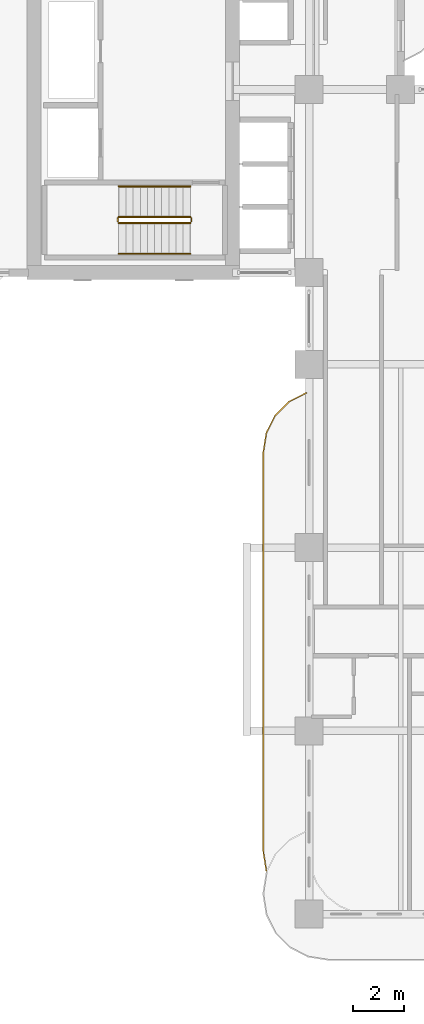
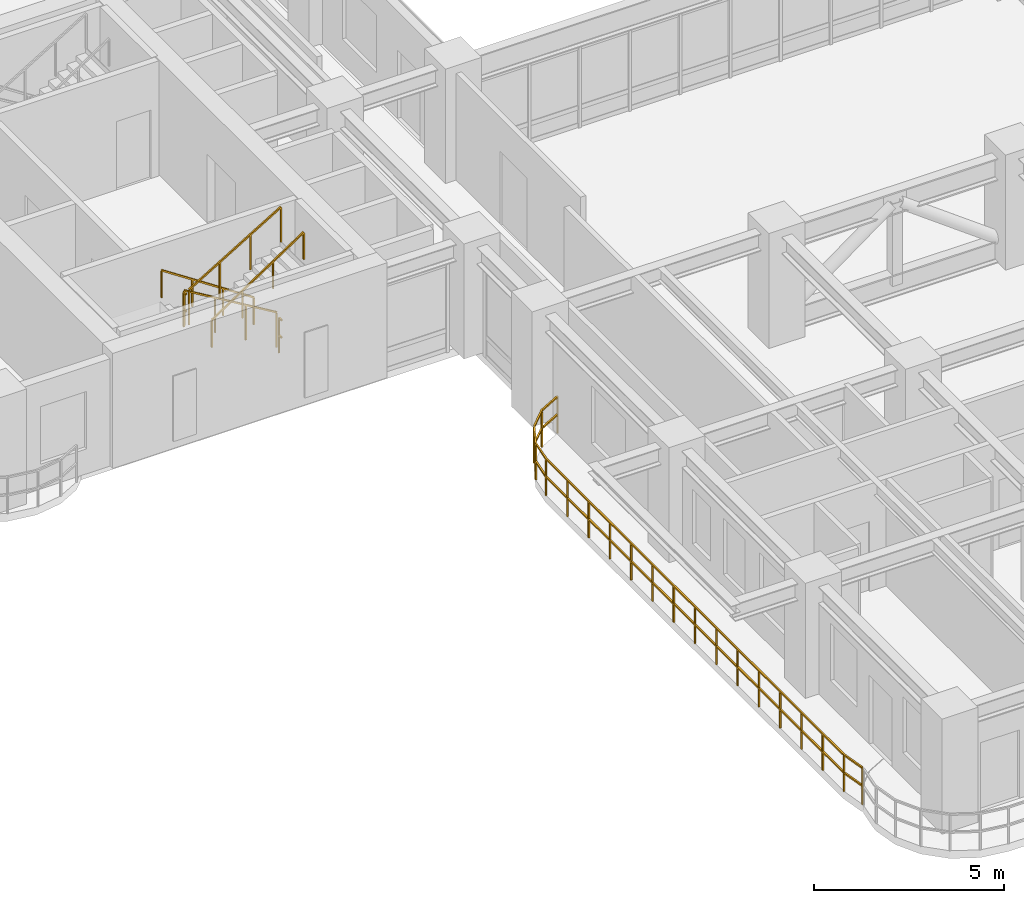
# One storey, part 17 of 21: 7 railings.
"""IFC4 building model written with IfcOpenShell, lengths in metres."""

from ifc_helpers import new_model, si_unit, derived_unit, direction, frame, origin, origin_2d, place, context, subcontext, project, spatial, rectangle, extrude, material, type_object, element, save


model = new_model("IFC4")

# Units and contexts
model_context = context("Model", 3, precision=1e-05, world=origin(), true_north=direction((0.0, 1.0)))
body_context = subcontext(model_context, "Body", "Model", "MODEL_VIEW")
ifc_project = project(units=[si_unit("LENGTHUNIT", "METRE"), si_unit("AREAUNIT", "SQUARE_METRE"), si_unit("VOLUMEUNIT", "CUBIC_METRE"), si_unit("PLANEANGLEUNIT", "RADIAN"), si_unit("MASSUNIT", "GRAM", prefix="KILO"), si_unit("THERMODYNAMICTEMPERATUREUNIT", "KELVIN"), si_unit("POWERUNIT", "WATT"), derived_unit("THERMALTRANSMITTANCEUNIT", [(si_unit("POWERUNIT", "WATT"), 1), (si_unit("AREAUNIT", "SQUARE_METRE"), -1), (si_unit("THERMODYNAMICTEMPERATUREUNIT", "KELVIN"), -1)])], contexts=[model_context])

# Site, building, storey
site_placement = place(None, origin())
site = spatial("IfcSite", under=ifc_project, at=site_placement, CompositionType="ELEMENT")
building_placement = place(site_placement, origin())
building = spatial("IfcBuilding", under=site, at=building_placement, Name="Zahravan Archway Hotel and Residences", CompositionType="ELEMENT")
storey_placement = place(building_placement, frame((0.0, 0.0, 65.699951171875)))
storey = spatial("IfcBuildingStorey", under=building, at=storey_placement, Name="L15", CompositionType="ELEMENT", Elevation=65.699951171875)

# Railings
ifc_material_1 = material(Name="Bronze & Laminated Glass Balustrade", Category="glass")
railing_type_1 = type_object("IfcRailingType", Name="RL-BAL-1200", PredefinedType="BALUSTRADE", material=ifc_material_1)
railing_1_placement = place(storey_placement, frame((12.719970703125, 1.69287109375, 0.0)))
element("IfcRailing", 1, at=railing_1_placement, inside=storey, type_object=railing_type_1, Name="L15 Balustrade RL-SLB-BAL-L15-WA-1", PredefinedType="BALUSTRADE", context=body_context, shape_type="SweptSolid", body=[
    extrude(rectangle(XDim=0.048095703125, YDim=0.048095703125, at=origin_2d()), frame((0.0, 0.0, 1.17578125), z_axis=(-0.156387811283, 0.987695728695, 0.0), x_axis=(-0.987695728695, -0.156387811283, 0.0)), (0.0, 0.0, 1.0), 0.7666015625),
    extrude(rectangle(XDim=0.048095703125, YDim=0.048095703125, at=origin_2d()), frame((0.0, 0.0, 0.60009765625), z_axis=(-0.156387811283, 0.987695728695, 0.0), x_axis=(-0.987695728695, -0.156387811283, 0.0)), (0.0, 0.0, 1.0), 0.7666015625),
    extrude(rectangle(XDim=0.048095703125, YDim=0.048095703125, at=origin_2d()), frame((-0.119873046875, 0.757080078125, 1.17578125), z_axis=(0.0, 1.0, 0.0), x_axis=(-1.0, 0.0, 0.0)), (0.0, 0.0, 1.0), 15.699951171875),
    extrude(rectangle(XDim=0.048095703125, YDim=0.048095703125, at=origin_2d()), frame((-0.119873046875, 0.757080078125, 0.60009765625), z_axis=(0.0, 1.0, 0.0), x_axis=(-1.0, 0.0, 0.0)), (0.0, 0.0, 1.0), 15.699951171875),
    extrude(rectangle(XDim=0.048095703125, YDim=0.048095703125, at=origin_2d()), frame((-0.119873046875, 16.45703125, 1.17578125), z_axis=(0.156387811283, 0.987695728695, 0.0), x_axis=(-0.987695728695, 0.156387811283, 0.0)), (0.0, 0.0, 1.0), 0.7666015625),
    extrude(rectangle(XDim=0.048095703125, YDim=0.048095703125, at=origin_2d()), frame((-0.119873046875, 16.45703125, 0.60009765625), z_axis=(0.156387811283, 0.987695728695, 0.0), x_axis=(-0.987695728695, 0.156387811283, 0.0)), (0.0, 0.0, 1.0), 0.7666015625),
    extrude(rectangle(XDim=0.048095703125, YDim=0.048095703125, at=origin_2d()), frame((0.0, 17.214111328125, 1.17578125), z_axis=(0.453825591531, 0.891090529897, 0.0), x_axis=(-0.891090529897, 0.453825591531, 0.0)), (0.0, 0.0, 1.0), 0.7666015625),
    extrude(rectangle(XDim=0.048095703125, YDim=0.048095703125, at=origin_2d()), frame((0.0, 17.214111328125, 0.60009765625), z_axis=(0.453825591531, 0.891090529897, 0.0), x_axis=(-0.891090529897, 0.453825591531, 0.0)), (0.0, 0.0, 1.0), 0.7666015625),
    extrude(rectangle(XDim=0.048095703125, YDim=0.048095703125, at=origin_2d()), frame((0.347900390625, 17.897216796875, 1.17578125), z_axis=(0.707106781187, 0.707106781187, 0.0), x_axis=(-0.707106781187, 0.707106781187, 0.0)), (0.0, 0.0, 1.0), 0.7666015625),
    extrude(rectangle(XDim=0.048095703125, YDim=0.048095703125, at=origin_2d()), frame((0.347900390625, 17.897216796875, 0.60009765625), z_axis=(0.707106781187, 0.707106781187, 0.0), x_axis=(-0.707106781187, 0.707106781187, 0.0)), (0.0, 0.0, 1.0), 0.7666015625),
    extrude(rectangle(XDim=0.048095703125, YDim=0.048095703125, at=origin_2d()), frame((0.889892578125, 18.439208984375, 1.17578125), z_axis=(0.891090529897, 0.453825591531, 0.0), x_axis=(-0.453825591531, 0.891090529897, 0.0)), (0.0, 0.0, 1.0), 0.7666015625),
    extrude(rectangle(XDim=0.048095703125, YDim=0.048095703125, at=origin_2d()), frame((0.889892578125, 18.439208984375, 0.60009765625), z_axis=(0.891090529897, 0.453825591531, 0.0), x_axis=(-0.453825591531, 0.891090529897, 0.0)), (0.0, 0.0, 1.0), 0.7666015625),
    extrude(rectangle(XDim=0.0419921875, YDim=0.0419921875, at=origin_2d()), origin(), (0.0, 0.0, 1.0), 1.15185546875),
    extrude(rectangle(XDim=0.0419921875, YDim=0.0419921875, at=origin_2d()), frame((-0.119873046875, 0.757080078125, 0.0)), (0.0, 0.0, 1.0), 1.15185546875),
    extrude(rectangle(XDim=0.0419921875, YDim=0.0419921875, at=origin_2d()), frame((-0.119873046875, 1.87841796875, 0.0)), (0.0, 0.0, 1.0), 1.15185546875),
    extrude(rectangle(XDim=0.0419921875, YDim=0.0419921875, at=origin_2d()), frame((-0.119873046875, 3.0, 0.0)), (0.0, 0.0, 1.0), 1.15185546875),
    extrude(rectangle(XDim=0.0419921875, YDim=0.0419921875, at=origin_2d()), frame((-0.119873046875, 4.121337890625, 0.0)), (0.0, 0.0, 1.0), 1.15185546875),
    extrude(rectangle(XDim=0.0419921875, YDim=0.0419921875, at=origin_2d()), frame((-0.119873046875, 5.24267578125, 0.0)), (0.0, 0.0, 1.0), 1.15185546875),
    extrude(rectangle(XDim=0.0419921875, YDim=0.0419921875, at=origin_2d()), frame((-0.119873046875, 6.3642578125, 0.0)), (0.0, 0.0, 1.0), 1.15185546875),
    extrude(rectangle(XDim=0.0419921875, YDim=0.0419921875, at=origin_2d()), frame((-0.119873046875, 7.485595703125, 0.0)), (0.0, 0.0, 1.0), 1.15185546875),
    extrude(rectangle(XDim=0.0419921875, YDim=0.0419921875, at=origin_2d()), frame((-0.119873046875, 8.60693359375, 0.0)), (0.0, 0.0, 1.0), 1.15185546875),
    extrude(rectangle(XDim=0.0419921875, YDim=0.0419921875, at=origin_2d()), frame((-0.119873046875, 9.728515625, 0.0)), (0.0, 0.0, 1.0), 1.15185546875),
    extrude(rectangle(XDim=0.0419921875, YDim=0.0419921875, at=origin_2d()), frame((-0.119873046875, 10.849853515625, 0.0)), (0.0, 0.0, 1.0), 1.15185546875),
    extrude(rectangle(XDim=0.0419921875, YDim=0.0419921875, at=origin_2d()), frame((-0.119873046875, 11.971435546875, 0.0)), (0.0, 0.0, 1.0), 1.15185546875),
    extrude(rectangle(XDim=0.0419921875, YDim=0.0419921875, at=origin_2d()), frame((-0.119873046875, 13.0927734375, 0.0)), (0.0, 0.0, 1.0), 1.15185546875),
    extrude(rectangle(XDim=0.0419921875, YDim=0.0419921875, at=origin_2d()), frame((-0.119873046875, 14.214111328125, 0.0)), (0.0, 0.0, 1.0), 1.15185546875),
    extrude(rectangle(XDim=0.0419921875, YDim=0.0419921875, at=origin_2d()), frame((-0.119873046875, 15.335693359375, 0.0)), (0.0, 0.0, 1.0), 1.15185546875),
    extrude(rectangle(XDim=0.0419921875, YDim=0.0419921875, at=origin_2d()), frame((-0.119873046875, 16.45703125, 0.0)), (0.0, 0.0, 1.0), 1.15185546875),
    extrude(rectangle(XDim=0.0419921875, YDim=0.0419921875, at=origin_2d()), frame((0.0, 17.214111328125, 0.0)), (0.0, 0.0, 1.0), 1.15185546875),
    extrude(rectangle(XDim=0.0419921875, YDim=0.0419921875, at=origin_2d()), frame((0.347900390625, 17.897216796875, 0.0)), (0.0, 0.0, 1.0), 1.15185546875),
    extrude(rectangle(XDim=0.0419921875, YDim=0.0419921875, at=origin_2d()), frame((0.889892578125, 18.439208984375, 0.0)), (0.0, 0.0, 1.0), 1.15185546875),
    extrude(rectangle(XDim=0.0419921875, YDim=0.0419921875, at=origin_2d()), frame((1.572998046875, 18.787109375, 0.0)), (0.0, 0.0, 1.0), 1.15185546875),
])
ifc_material_2 = material(Name="Painted Tubular Steel", Category="steel")
railing_type_2 = type_object("IfcRailingType", Name="RL-STG-1150", PredefinedType="GUARDRAIL", material=ifc_material_2)
railing_2_placement = place(storey_placement, frame((9.72998046875, 27.389892578125, 0.168212890625)))
element("IfcRailing", 2, at=railing_2_placement, inside=storey, type_object=railing_type_2, Name="L15 ST-B1 stair guard 1", PredefinedType="GUARDRAIL", context=body_context, shape_type="SweptSolid", body=[
    extrude(rectangle(XDim=0.048095703125, YDim=0.048095703125, at=origin_2d()), frame((0.0, 0.0, 1.1259765625), z_axis=(-0.857242210791, 0.0, 0.514913383045), x_axis=(0.0, -1.0, 0.0)), (0.0, 0.0, 1.0), 3.266357421875),
    extrude(rectangle(XDim=0.0419921875, YDim=0.0419921875, at=origin_2d()), origin(), (0.0, 0.0, 1.0), 1.101806640625),
    extrude(rectangle(XDim=0.0419921875, YDim=0.0419921875, at=origin_2d()), frame((-0.933349609375, 0.0, 0.560546875)), (0.0, 0.0, 1.0), 1.101806640625),
    extrude(rectangle(XDim=0.0419921875, YDim=0.0419921875, at=origin_2d()), frame((-1.86669921875, 0.0, 1.121337890625)), (0.0, 0.0, 1.0), 1.101806640625),
    extrude(rectangle(XDim=0.0419921875, YDim=0.0419921875, at=origin_2d()), frame((-2.800048828125, 0.0, 1.681884765625)), (0.0, 0.0, 1.0), 1.101806640625),
])
railing_3_placement = place(storey_placement, frame((6.8798828125, 27.340087890625, 1.85009765625)))
element("IfcRailing", 3, at=railing_3_placement, inside=storey, type_object=railing_type_2, Name="L15 ST-B1 stair guard 2", PredefinedType="GUARDRAIL", context=body_context, shape_type="SweptSolid", body=[
    extrude(rectangle(XDim=0.048095703125, YDim=0.048095703125, at=origin_2d()), frame((0.0, 0.0, 1.1259765625), z_axis=(0.0, -1.0, 0.0), x_axis=(1.0, 0.0, 0.0)), (0.0, 0.0, 1.0), 0.14013671875),
    extrude(rectangle(XDim=0.048095703125, YDim=0.048095703125, at=origin_2d()), frame((0.0, 0.0, 0.574951171875), z_axis=(0.0, -1.0, 0.0), x_axis=(1.0, 0.0, 0.0)), (0.0, 0.0, 1.0), 0.14013671875),
    extrude(rectangle(XDim=0.0419921875, YDim=0.0419921875, at=origin_2d()), origin(), (0.0, 0.0, 1.0), 1.101806640625),
])
railing_4_placement = place(storey_placement, frame((6.929931640625, 27.14990234375, 2.018310546875)))
element("IfcRailing", 4, at=railing_4_placement, inside=storey, type_object=railing_type_2, Name="L15 ST-B1 stair guard 3", PredefinedType="GUARDRAIL", context=body_context, shape_type="SweptSolid", body=[
    extrude(rectangle(XDim=0.048095703125, YDim=0.048095703125, at=origin_2d()), frame((0.0, 0.0, 1.1259765625), z_axis=(0.857275202839, 0.0, 0.514858452973), x_axis=(0.0, 1.0, 0.0)), (0.0, 0.0, 1.0), 3.26611328125),
    extrude(rectangle(XDim=0.0419921875, YDim=0.0419921875, at=origin_2d()), origin(), (0.0, 0.0, 1.0), 1.101806640625),
    extrude(rectangle(XDim=0.0419921875, YDim=0.0419921875, at=origin_2d()), frame((0.933349609375, 0.0, 0.560546875)), (0.0, 0.0, 1.0), 1.101806640625),
    extrude(rectangle(XDim=0.0419921875, YDim=0.0419921875, at=origin_2d()), frame((1.86669921875, 0.0, 1.12109375)), (0.0, 0.0, 1.0), 1.101806640625),
    extrude(rectangle(XDim=0.0419921875, YDim=0.0419921875, at=origin_2d()), frame((2.800048828125, 0.0, 1.681640625)), (0.0, 0.0, 1.0), 1.101806640625),
])
railing_5_placement = place(storey_placement, frame((9.780029296875, 27.340087890625, 0.0)))
element("IfcRailing", 5, at=railing_5_placement, inside=storey, type_object=railing_type_2, Name="L15 ST-B1 stair guard 4", PredefinedType="GUARDRAIL", context=body_context, shape_type="SweptSolid", body=[
    extrude(rectangle(XDim=0.048095703125, YDim=0.048095703125, at=origin_2d()), frame((0.0, 0.0, 1.1259765625), z_axis=(0.0, -1.0, 0.0), x_axis=(1.0, 0.0, 0.0)), (0.0, 0.0, 1.0), 0.14013671875),
    extrude(rectangle(XDim=0.048095703125, YDim=0.048095703125, at=origin_2d()), frame((0.0, 0.0, 0.574951171875), z_axis=(0.0, -1.0, 0.0), x_axis=(1.0, 0.0, 0.0)), (0.0, 0.0, 1.0), 0.14013671875),
    extrude(rectangle(XDim=0.0419921875, YDim=0.0419921875, at=origin_2d()), origin(), (0.0, 0.0, 1.0), 1.101806640625),
])
ifc_material_3 = material(Name="Brushed Stainless Steel", Category="steel")
railing_type_3 = type_object("IfcRailingType", Name="RL-STH-900", PredefinedType="HANDRAIL", material=ifc_material_3)
railing_6_placement = place(storey_placement, frame((9.72998046875, 28.590087890625, 0.168212890625)))
element("IfcRailing", 6, at=railing_6_placement, inside=storey, type_object=railing_type_3, Name="L15 ST-B1 stair handrail 1", PredefinedType="HANDRAIL", context=body_context, shape_type="SweptSolid", body=[
    extrude(rectangle(XDim=0.048095703125, YDim=0.048095703125, at=origin_2d()), frame((0.0, 0.0, 0.8759765625), z_axis=(-0.834326358476, 0.0, 0.551270829586), x_axis=(0.0, -1.0, 0.0)), (0.0, 0.0, 1.0), 3.35595703125),
    extrude(rectangle(XDim=0.0419921875, YDim=0.0419921875, at=origin_2d()), origin(), (0.0, 0.0, 1.0), 0.851806640625),
    extrude(rectangle(XDim=0.0419921875, YDim=0.0419921875, at=origin_2d()), frame((-0.933349609375, 0.0, 0.61669921875)), (0.0, 0.0, 1.0), 0.851806640625),
    extrude(rectangle(XDim=0.0419921875, YDim=0.0419921875, at=origin_2d()), frame((-1.86669921875, 0.0, 1.2333984375)), (0.0, 0.0, 1.0), 0.851806640625),
    extrude(rectangle(XDim=0.0419921875, YDim=0.0419921875, at=origin_2d()), frame((-2.800048828125, 0.0, 1.85009765625)), (0.0, 0.0, 1.0), 0.851806640625),
])
railing_7_placement = place(storey_placement, frame((6.929931640625, 25.949951171875, 2.018310546875)))
element("IfcRailing", 7, at=railing_7_placement, inside=storey, type_object=railing_type_3, Name="L15 ST-B1 stair handrail 2", PredefinedType="HANDRAIL", context=body_context, shape_type="SweptSolid", body=[
    extrude(rectangle(XDim=0.048095703125, YDim=0.048095703125, at=origin_2d()), frame((0.0, 0.0, 0.8759765625), z_axis=(0.83435981716, 0.0, 0.551220187865), x_axis=(0.0, 1.0, 0.0)), (0.0, 0.0, 1.0), 3.35595703125),
    extrude(rectangle(XDim=0.0419921875, YDim=0.0419921875, at=origin_2d()), origin(), (0.0, 0.0, 1.0), 0.851806640625),
    extrude(rectangle(XDim=0.0419921875, YDim=0.0419921875, at=origin_2d()), frame((0.933349609375, 0.0, 0.61669921875)), (0.0, 0.0, 1.0), 0.851806640625),
    extrude(rectangle(XDim=0.0419921875, YDim=0.0419921875, at=origin_2d()), frame((1.86669921875, 0.0, 1.233154296875)), (0.0, 0.0, 1.0), 0.851806640625),
    extrude(rectangle(XDim=0.0419921875, YDim=0.0419921875, at=origin_2d()), frame((2.800048828125, 0.0, 1.849853515625)), (0.0, 0.0, 1.0), 0.851806640625),
])

save(model, "model.ifc")
